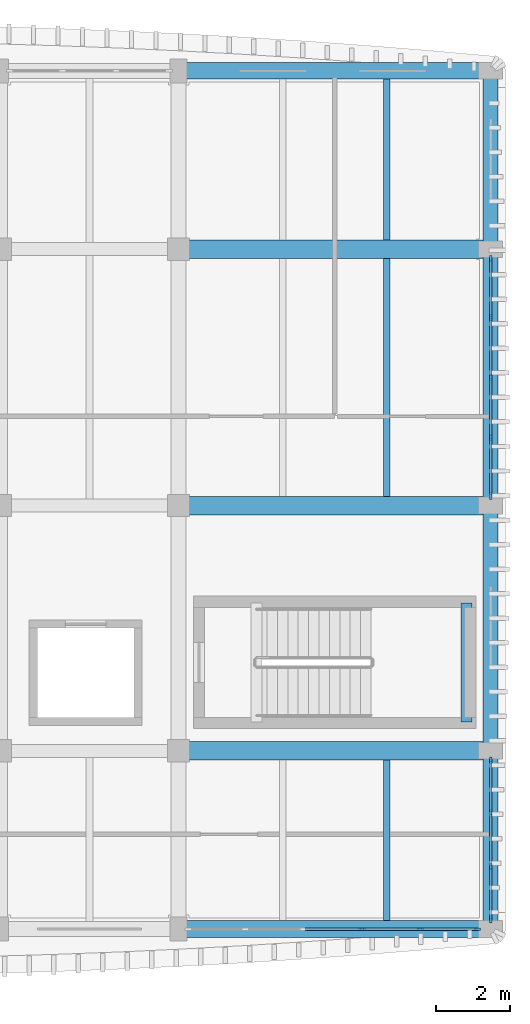
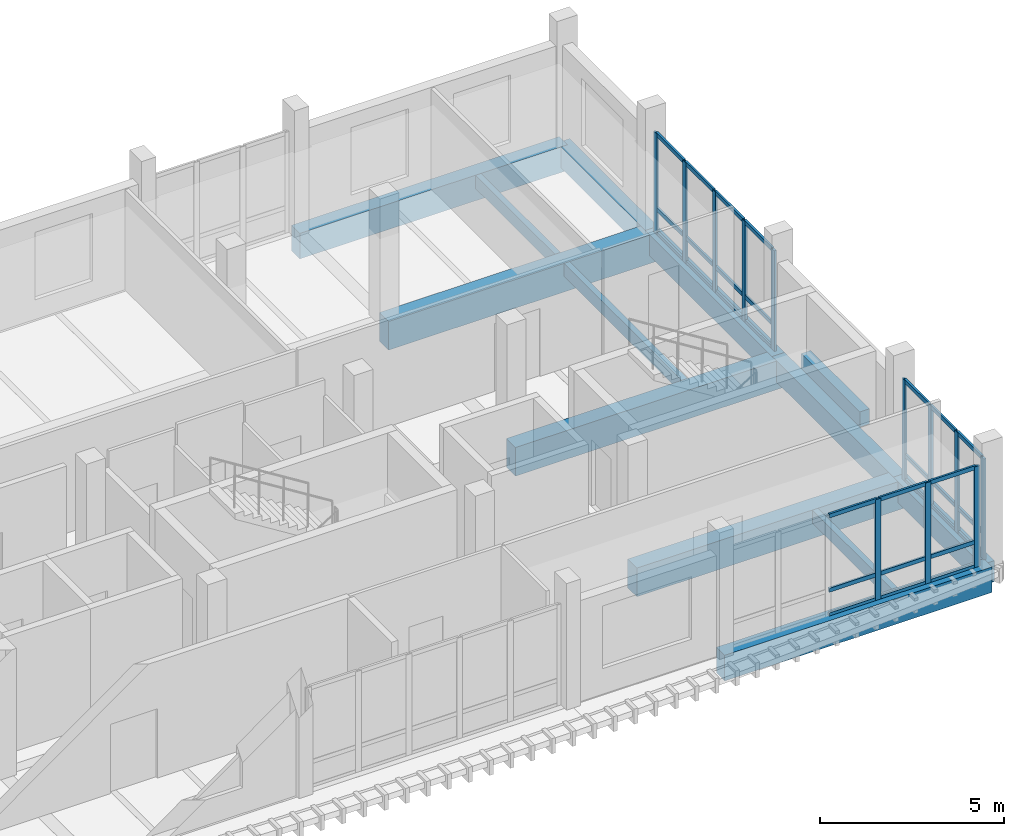
# One storey, part 5 of 16: 42 members, 13 beams, 3 elements without a shape of their own.
"""IFC4 building model written with IfcOpenShell, lengths in metres."""

from ifc_helpers import new_model, si_unit, direction, frame, origin, origin_2d, place, context, subcontext, project, spatial, rectangle, extrude, material, material_profile, profile_set, type_object, element, aggregate, save


model = new_model("IFC4")

# Units and contexts
model_context = context("Model", 3, precision=1e-05, world=origin(), true_north=direction((0.0, 1.0)))
body_context = subcontext(model_context, "Body", "Model", "MODEL_VIEW")
ifc_project = project(units=[si_unit("LENGTHUNIT", "METRE"), si_unit("AREAUNIT", "SQUARE_METRE"), si_unit("VOLUMEUNIT", "CUBIC_METRE"), si_unit("PLANEANGLEUNIT", "RADIAN"), si_unit("MASSUNIT", "GRAM", prefix="KILO")], contexts=[model_context])

# Site, building, storey
site_placement = place(None, origin())
site = spatial("IfcSite", under=ifc_project, at=site_placement, CompositionType="ELEMENT")
building_placement = place(site_placement, origin())
building = spatial("IfcBuilding", under=site, at=building_placement, Name="Dornvale Research Institute", CompositionType="ELEMENT")
storey_placement = place(building_placement, frame((0.0, 0.0, 42.60009765625)))
storey = spatial("IfcBuildingStorey", under=building, at=storey_placement, Name="L09", CompositionType="ELEMENT", Elevation=42.60009765625)

# Beams
ifc_material_1 = material(Name="Concrete f'c 45 MPa (C35/45)", Category="concrete")
ifc_material_profile_1 = material_profile(ifc_material_1, rectangle(XDim=0.300048828125, YDim=0.5, at=origin_2d()), Name="RC 300x500")
ifc_profile_set_1 = profile_set([ifc_material_profile_1], Name="Concrete f'c 45 MPa (C35/45)")
beam_type_1 = type_object("IfcBeamType", Name="Beam_RC300x500_Trim", PredefinedType="BEAM", material=ifc_profile_set_1)
beam_1_placement = place(storey_placement, frame((40.75, 104.580078125, 1.64990234375), z_axis=(0.0, 1.0, 0.0), x_axis=(-1.0, 0.0, 0.0)))
element("IfcBeam", 1, at=beam_1_placement, inside=storey, type_object=beam_type_1, Name="L09 ST-2 half-landing support beam #46", PredefinedType="BEAM", context=body_context, shape_type="SweptSolid", body=[
    extrude(rectangle(XDim=0.300048828125, YDim=0.5, at=origin_2d()), origin(), (0.0, 0.0, 1.0), 3.199951171875),
])
ifc_material_2 = material(Name="Concrete f'c 45 MPa (C35/45)", Category="concrete")
ifc_material_profile_2 = material_profile(ifc_material_2, rectangle(XDim=0.5, YDim=0.949951171875, at=origin_2d()), Name="RC 500x950")
ifc_profile_set_2 = profile_set([ifc_material_profile_2], Name="Concrete f'c 45 MPa (C35/45)")
beam_type_2 = type_object("IfcBeamType", Name="Beam_RC500x950_Girder", PredefinedType="BEAM", material=ifc_profile_set_2)
for number, where, z_axis, x_axis, name in (
    (2, (33.0, 103.800048828125, -0.47509765625), (1.0, 0.0, 0.0), (0.0, 1.0, 0.0), "L09 primary girder #1720"),
    (3, (33.0, 110.39990234375, -0.47509765625), (1.0, 0.0, 0.0), (0.0, 1.0, 0.0), "L09 primary girder #1725"),
    (4, (33.0, 117.300048828125, -0.47509765625), (1.0, 0.0, 0.0), (0.0, 1.0, 0.0), "L09 primary girder #1730"),
):
    element("IfcBeam", number, at=place(storey_placement, frame(where, z_axis=z_axis, x_axis=x_axis)), inside=storey, type_object=beam_type_2, Name=name, PredefinedType="BEAM", context=body_context, shape_type="SweptSolid", body=[
        extrude(rectangle(XDim=0.5, YDim=0.949951171875, at=origin_2d()), origin(), (0.0, 0.0, 1.0), 8.39990234375),
    ])
ifc_material_3 = material(Name="Concrete f'c 45 MPa (C35/45)", Category="concrete")
ifc_material_profile_3 = material_profile(ifc_material_3, rectangle(XDim=0.179931640625, YDim=0.43505859375, at=origin_2d()), Name="RC 180x435")
ifc_profile_set_3 = profile_set([ifc_material_profile_3], Name="Concrete f'c 45 MPa (C35/45)")
beam_type_3 = type_object("IfcBeamType", Name="Joist_RC180x435_Rib", PredefinedType="JOIST", material=ifc_profile_set_3)
beam_2_placement = place(storey_placement, frame((38.60009765625, 99.22509765625, -0.217529296875), z_axis=(0.0, 1.0, 0.0), x_axis=(-1.0, 0.0, 0.0)))
element("IfcBeam", 5, at=beam_2_placement, inside=storey, type_object=beam_type_3, Name="L09 laboratory waffle joist #845", PredefinedType="JOIST", context=body_context, shape_type="SweptSolid", body=[
    extrude(rectangle(XDim=0.179931640625, YDim=0.43505859375, at=origin_2d()), origin(), (0.0, 0.0, 1.0), 4.324951171875),
])
beam_3_placement = place(storey_placement, frame((38.60009765625, 110.64990234375, -0.217529296875), z_axis=(0.0, 1.0, 0.0), x_axis=(-1.0, 0.0, 0.0)))
element("IfcBeam", 6, at=beam_3_placement, inside=storey, type_object=beam_type_3, Name="L09 laboratory waffle joist #847", PredefinedType="JOIST", context=body_context, shape_type="SweptSolid", body=[
    extrude(rectangle(XDim=0.179931640625, YDim=0.43505859375, at=origin_2d()), origin(), (0.0, 0.0, 1.0), 6.400146484375),
])
beam_4_placement = place(storey_placement, frame((38.60009765625, 117.550048828125, -0.217529296875), z_axis=(0.0, 1.0, 0.0), x_axis=(-1.0, 0.0, 0.0)))
element("IfcBeam", 7, at=beam_4_placement, inside=storey, type_object=beam_type_3, Name="L09 laboratory waffle joist #849", PredefinedType="JOIST", context=body_context, shape_type="SweptSolid", body=[
    extrude(rectangle(XDim=0.179931640625, YDim=0.43505859375, at=origin_2d()), origin(), (0.0, 0.0, 1.0), 4.324951171875),
])

# Curtain wall, members
ifc_material_4 = material(Name="Low-E Argon Double Insulating Glazing Unit", Category="glass")
curtain_wall_type_1 = type_object("IfcCurtainWallType", Name="UnitisedCurtainWall_V5_6450x3350", PredefinedType="USERDEFINED", material=ifc_material_4)
curtain_wall_1_placement = place(storey_placement, origin())
curtain_wall_1 = element("IfcCurtainWall", 8, at=curtain_wall_1_placement, inside=storey, type_object=curtain_wall_type_1, Name="L09 V5 unitised curtain wall CW-36 #197", ObjectType="UNITISED CURTAIN WALL", PredefinedType="USERDEFINED")
ifc_material_5 = material(Name="Anodized Aluminum AA 6063-T6 Thermally Broken Frame", Category="aluminium")
ifc_material_profile_4 = material_profile(ifc_material_5, rectangle(XDim=0.06494140625, YDim=0.179931640625, at=origin_2d()), Name="ALU MULLION 65x180")
ifc_profile_set_4 = profile_set([ifc_material_profile_4], Name="Anodized Aluminum AA 6063-T6 Thermally Broken Frame")
member_type_1 = type_object("IfcMemberType", Name="Mullion_CW_65x180", PredefinedType="MULLION", material=ifc_profile_set_4)
member_1_placement = place(storey_placement, frame((41.39990234375, 117.04248046875, 0.0), z_axis=(0.0, 0.0, 1.0), x_axis=(1.0, 0.0, 0.0)))
member_1 = element("IfcMember", 9, at=member_1_placement, type_object=member_type_1, Name="CW-36 mullion 1", PredefinedType="MULLION", context=body_context, shape_type="SweptSolid", body=[
    extrude(rectangle(XDim=0.06494140625, YDim=0.179931640625, at=origin_2d()), origin(), (0.0, 0.0, 1.0), 3.349853515625),
])
member_2_placement = place(storey_placement, frame((41.39990234375, 115.46240234375, 0.0), z_axis=(0.0, 0.0, 1.0), x_axis=(1.0, 0.0, 0.0)))
member_2 = element("IfcMember", 10, at=member_2_placement, type_object=member_type_1, Name="CW-36 mullion 2", PredefinedType="MULLION", context=body_context, shape_type="SweptSolid", body=[
    extrude(rectangle(XDim=0.06494140625, YDim=0.179931640625, at=origin_2d()), origin(), (0.0, 0.0, 1.0), 3.349853515625),
])
member_3_placement = place(storey_placement, frame((41.39990234375, 113.85009765625, 0.0), z_axis=(0.0, 0.0, 1.0), x_axis=(1.0, 0.0, 0.0)))
member_3 = element("IfcMember", 11, at=member_3_placement, type_object=member_type_1, Name="CW-36 mullion 3", PredefinedType="MULLION", context=body_context, shape_type="SweptSolid", body=[
    extrude(rectangle(XDim=0.06494140625, YDim=0.179931640625, at=origin_2d()), origin(), (0.0, 0.0, 1.0), 3.349853515625),
])
member_4_placement = place(storey_placement, frame((41.39990234375, 112.237548828125, 0.0), z_axis=(0.0, 0.0, 1.0), x_axis=(1.0, 0.0, 0.0)))
member_4 = element("IfcMember", 12, at=member_4_placement, type_object=member_type_1, Name="CW-36 mullion 4", PredefinedType="MULLION", context=body_context, shape_type="SweptSolid", body=[
    extrude(rectangle(XDim=0.06494140625, YDim=0.179931640625, at=origin_2d()), origin(), (0.0, 0.0, 1.0), 3.349853515625),
])
member_5_placement = place(storey_placement, frame((41.39990234375, 110.657470703125, 0.0), z_axis=(0.0, 0.0, 1.0), x_axis=(1.0, 0.0, 0.0)))
member_5 = element("IfcMember", 13, at=member_5_placement, type_object=member_type_1, Name="CW-36 mullion 5", PredefinedType="MULLION", context=body_context, shape_type="SweptSolid", body=[
    extrude(rectangle(XDim=0.06494140625, YDim=0.179931640625, at=origin_2d()), origin(), (0.0, 0.0, 1.0), 3.349853515625),
])

ifc_material_6 = material(Name="Low-E Argon Double Insulating Glazing Unit", Category="glass")
curtain_wall_type_2 = type_object("IfcCurtainWallType", Name="UnitisedCurtainWall_V5_4350x3350", PredefinedType="USERDEFINED", material=ifc_material_6)
curtain_wall_2_placement = place(storey_placement, origin())
curtain_wall_2 = element("IfcCurtainWall", 14, at=curtain_wall_2_placement, inside=storey, type_object=curtain_wall_type_2, Name="L09 V5 unitised curtain wall CW-35 #198", ObjectType="UNITISED CURTAIN WALL", PredefinedType="USERDEFINED")
member_6_placement = place(storey_placement, frame((41.39990234375, 103.54248046875, 0.0), z_axis=(0.0, 0.0, 1.0), x_axis=(1.0, 0.0, 0.0)))
member_6 = element("IfcMember", 15, at=member_6_placement, type_object=member_type_1, Name="CW-35 mullion 1", PredefinedType="MULLION", context=body_context, shape_type="SweptSolid", body=[
    extrude(rectangle(XDim=0.06494140625, YDim=0.179931640625, at=origin_2d()), origin(), (0.0, 0.0, 1.0), 3.349853515625),
])
member_7_placement = place(storey_placement, frame((41.39990234375, 102.125, 0.0), z_axis=(0.0, 0.0, 1.0), x_axis=(1.0, 0.0, 0.0)))
member_7 = element("IfcMember", 16, at=member_7_placement, type_object=member_type_1, Name="CW-35 mullion 2", PredefinedType="MULLION", context=body_context, shape_type="SweptSolid", body=[
    extrude(rectangle(XDim=0.06494140625, YDim=0.179931640625, at=origin_2d()), origin(), (0.0, 0.0, 1.0), 3.349853515625),
])
member_8_placement = place(storey_placement, frame((41.39990234375, 100.675048828125, 0.0), z_axis=(0.0, 0.0, 1.0), x_axis=(1.0, 0.0, 0.0)))
member_8 = element("IfcMember", 17, at=member_8_placement, type_object=member_type_1, Name="CW-35 mullion 3", PredefinedType="MULLION", context=body_context, shape_type="SweptSolid", body=[
    extrude(rectangle(XDim=0.06494140625, YDim=0.179931640625, at=origin_2d()), origin(), (0.0, 0.0, 1.0), 3.349853515625),
])
member_9_placement = place(storey_placement, frame((41.39990234375, 99.257568359375, 0.0), z_axis=(0.0, 0.0, 1.0), x_axis=(1.0, 0.0, 0.0)))
member_9 = element("IfcMember", 18, at=member_9_placement, type_object=member_type_1, Name="CW-35 mullion 4", PredefinedType="MULLION", context=body_context, shape_type="SweptSolid", body=[
    extrude(rectangle(XDim=0.06494140625, YDim=0.179931640625, at=origin_2d()), origin(), (0.0, 0.0, 1.0), 3.349853515625),
])

ifc_material_7 = material(Name="Low-E Argon Double Insulating Glazing Unit", Category="glass")
curtain_wall_type_3 = type_object("IfcCurtainWallType", Name="UnitisedCurtainWall_V5_7850x3350", PredefinedType="USERDEFINED", material=ifc_material_7)
curtain_wall_3_placement = place(storey_placement, origin())
curtain_wall_3 = element("IfcCurtainWall", 19, at=curtain_wall_3_placement, inside=storey, type_object=curtain_wall_type_3, Name="L09 V5 unitised curtain wall CW-37 #199", ObjectType="UNITISED CURTAIN WALL", PredefinedType="USERDEFINED")
member_10_placement = place(storey_placement, frame((41.04248046875, 99.0, 0.0), z_axis=(0.0, 0.0, 1.0), x_axis=(0.0, -1.0, 0.0)))
member_10 = element("IfcMember", 20, at=member_10_placement, type_object=member_type_1, Name="CW-37 mullion 1", PredefinedType="MULLION", context=body_context, shape_type="SweptSolid", body=[
    extrude(rectangle(XDim=0.06494140625, YDim=0.179931640625, at=origin_2d()), origin(), (0.0, 0.0, 1.0), 3.349853515625),
])
member_11_placement = place(storey_placement, frame((39.5048828125, 99.0, 0.0), z_axis=(0.0, 0.0, 1.0), x_axis=(0.0, -1.0, 0.0)))
member_11 = element("IfcMember", 21, at=member_11_placement, type_object=member_type_1, Name="CW-37 mullion 2", PredefinedType="MULLION", context=body_context, shape_type="SweptSolid", body=[
    extrude(rectangle(XDim=0.06494140625, YDim=0.179931640625, at=origin_2d()), origin(), (0.0, 0.0, 1.0), 3.349853515625),
])
member_12_placement = place(storey_placement, frame((37.93505859375, 99.0, 0.0), z_axis=(0.0, 0.0, 1.0), x_axis=(0.0, -1.0, 0.0)))
member_12 = element("IfcMember", 22, at=member_12_placement, type_object=member_type_1, Name="CW-37 mullion 3", PredefinedType="MULLION", context=body_context, shape_type="SweptSolid", body=[
    extrude(rectangle(XDim=0.06494140625, YDim=0.179931640625, at=origin_2d()), origin(), (0.0, 0.0, 1.0), 3.349853515625),
])

# Beams
ifc_material_8 = material(Name="Concrete f'c 45 MPa (C35/45)", Category="concrete")
ifc_material_profile_5 = material_profile(ifc_material_8, rectangle(XDim=0.39990234375, YDim=0.699951171875, at=origin_2d()), Name="RC 400x700")
ifc_profile_set_5 = profile_set([ifc_material_profile_5], Name="Concrete f'c 45 MPa (C35/45)")
beam_type_4 = type_object("IfcBeamType", Name="Spandrel_RC400x700_Ext", PredefinedType="SPANDREL", material=ifc_profile_set_5)
beam_5_placement = place(storey_placement, frame((41.39990234375, 99.0, -0.35009765625), z_axis=(0.0, 1.0, 0.0), x_axis=(-1.0, 0.0, 0.0)))
element("IfcBeam", 23, at=beam_5_placement, inside=storey, type_object=beam_type_4, Name="L09 perimeter spandrel #1756", PredefinedType="SPANDREL", context=body_context, shape_type="SweptSolid", body=[
    extrude(rectangle(XDim=0.39990234375, YDim=0.699951171875, at=origin_2d()), origin(), (0.0, 0.0, 1.0), 4.800048828125),
])
beam_6_placement = place(storey_placement, frame((41.39990234375, 103.800048828125, -0.35009765625), z_axis=(0.0, 1.0, 0.0), x_axis=(-1.0, 0.0, 0.0)))
element("IfcBeam", 24, at=beam_6_placement, inside=storey, type_object=beam_type_4, Name="L09 perimeter spandrel #1757", PredefinedType="SPANDREL", context=body_context, shape_type="SweptSolid", body=[
    extrude(rectangle(XDim=0.39990234375, YDim=0.699951171875, at=origin_2d()), origin(), (0.0, 0.0, 1.0), 6.599853515625),
])
beam_7_placement = place(storey_placement, frame((41.39990234375, 110.39990234375, -0.35009765625), z_axis=(0.0, 1.0, 0.0), x_axis=(-1.0, 0.0, 0.0)))
element("IfcBeam", 25, at=beam_7_placement, inside=storey, type_object=beam_type_4, Name="L09 perimeter spandrel #1758", PredefinedType="SPANDREL", context=body_context, shape_type="SweptSolid", body=[
    extrude(rectangle(XDim=0.39990234375, YDim=0.699951171875, at=origin_2d()), origin(), (0.0, 0.0, 1.0), 6.900146484375),
])
beam_8_placement = place(storey_placement, frame((41.39990234375, 117.300048828125, -0.35009765625), z_axis=(0.0, 1.0, 0.0), x_axis=(-1.0, 0.0, 0.0)))
element("IfcBeam", 26, at=beam_8_placement, inside=storey, type_object=beam_type_4, Name="L09 perimeter spandrel #1759", PredefinedType="SPANDREL", context=body_context, shape_type="SweptSolid", body=[
    extrude(rectangle(XDim=0.39990234375, YDim=0.699951171875, at=origin_2d()), origin(), (0.0, 0.0, 1.0), 4.800048828125),
])
ifc_material_9 = material(Name="Concrete f'c 45 MPa (C35/45)", Category="concrete")
ifc_material_profile_6 = material_profile(ifc_material_9, rectangle(XDim=0.449951171875, YDim=0.85009765625, at=origin_2d()), Name="RC 450x850")
ifc_profile_set_6 = profile_set([ifc_material_profile_6], Name="Concrete f'c 45 MPa (C35/45)")
beam_type_5 = type_object("IfcBeamType", Name="Spandrel_RC450x850_Ext", PredefinedType="SPANDREL", material=ifc_profile_set_6)
for number, where, z_axis, x_axis, name in (
    (27, (33.0, 99.0, -0.425048828125), (1.0, 0.0, 0.0), (0.0, 1.0, 0.0), "L09 perimeter spandrel #1715"),
    (28, (33.0, 122.10009765625, -0.425048828125), (1.0, 0.0, 0.0), (0.0, 1.0, 0.0), "L09 perimeter spandrel #1735"),
):
    element("IfcBeam", number, at=place(storey_placement, frame(where, z_axis=z_axis, x_axis=x_axis)), inside=storey, type_object=beam_type_5, Name=name, PredefinedType="SPANDREL", context=body_context, shape_type="SweptSolid", body=[
        extrude(rectangle(XDim=0.449951171875, YDim=0.85009765625, at=origin_2d()), origin(), (0.0, 0.0, 1.0), 8.39990234375),
    ])

# Member
ifc_material_10 = material(Name="Anodized Aluminum AA 6063-T6 Thermally Broken Frame", Category="aluminium")
ifc_material_profile_7 = material_profile(ifc_material_10, rectangle(XDim=0.06494140625, YDim=0.135009765625, at=origin_2d()), Name="ALU TRANSOM 65x135")
ifc_profile_set_7 = profile_set([ifc_material_profile_7], Name="Anodized Aluminum AA 6063-T6 Thermally Broken Frame")
member_type_2 = type_object("IfcMemberType", Name="Transom_CW_65x135", PredefinedType="USERDEFINED", material=ifc_profile_set_7)
member_13_placement = place(storey_placement, frame((41.39990234375, 117.010009765625, 0.032470703125), z_axis=(0.0, -1.0, 0.0), x_axis=(1.0, 0.0, 0.0)))
member_13 = element("IfcMember", 29, at=member_13_placement, type_object=member_type_2, Name="CW-36 transom 1.1", ObjectType="TRANSOM", PredefinedType="USERDEFINED", context=body_context, shape_type="SweptSolid", body=[
    extrude(rectangle(XDim=0.06494140625, YDim=0.135009765625, at=origin_2d()), origin(), (0.0, 0.0, 1.0), 1.514892578125),
])

member_14_placement = place(storey_placement, frame((41.39990234375, 117.010009765625, 0.849853515625), z_axis=(0.0, -1.0, 0.0), x_axis=(1.0, 0.0, 0.0)))
member_14 = element("IfcMember", 30, at=member_14_placement, type_object=member_type_2, Name="CW-36 transom 1.2", ObjectType="TRANSOM", PredefinedType="USERDEFINED", context=body_context, shape_type="SweptSolid", body=[
    extrude(rectangle(XDim=0.06494140625, YDim=0.135009765625, at=origin_2d()), origin(), (0.0, 0.0, 1.0), 1.514892578125),
])

member_15_placement = place(storey_placement, frame((41.39990234375, 117.010009765625, 3.3173828125), z_axis=(0.0, -1.0, 0.0), x_axis=(1.0, 0.0, 0.0)))
member_15 = element("IfcMember", 31, at=member_15_placement, type_object=member_type_2, Name="CW-36 transom 1.3", ObjectType="TRANSOM", PredefinedType="USERDEFINED", context=body_context, shape_type="SweptSolid", body=[
    extrude(rectangle(XDim=0.06494140625, YDim=0.135009765625, at=origin_2d()), origin(), (0.0, 0.0, 1.0), 1.514892578125),
])

member_16_placement = place(storey_placement, frame((41.39990234375, 115.429931640625, 0.032470703125), z_axis=(0.0, -1.0, 0.0), x_axis=(1.0, 0.0, 0.0)))
member_16 = element("IfcMember", 32, at=member_16_placement, type_object=member_type_2, Name="CW-36 transom 2.1", ObjectType="TRANSOM", PredefinedType="USERDEFINED", context=body_context, shape_type="SweptSolid", body=[
    extrude(rectangle(XDim=0.06494140625, YDim=0.135009765625, at=origin_2d()), origin(), (0.0, 0.0, 1.0), 1.54736328125),
])

member_17_placement = place(storey_placement, frame((41.39990234375, 115.429931640625, 0.849853515625), z_axis=(0.0, -1.0, 0.0), x_axis=(1.0, 0.0, 0.0)))
member_17 = element("IfcMember", 33, at=member_17_placement, type_object=member_type_2, Name="CW-36 transom 2.2", ObjectType="TRANSOM", PredefinedType="USERDEFINED", context=body_context, shape_type="SweptSolid", body=[
    extrude(rectangle(XDim=0.06494140625, YDim=0.135009765625, at=origin_2d()), origin(), (0.0, 0.0, 1.0), 1.54736328125),
])

member_18_placement = place(storey_placement, frame((41.39990234375, 115.429931640625, 3.3173828125), z_axis=(0.0, -1.0, 0.0), x_axis=(1.0, 0.0, 0.0)))
member_18 = element("IfcMember", 34, at=member_18_placement, type_object=member_type_2, Name="CW-36 transom 2.3", ObjectType="TRANSOM", PredefinedType="USERDEFINED", context=body_context, shape_type="SweptSolid", body=[
    extrude(rectangle(XDim=0.06494140625, YDim=0.135009765625, at=origin_2d()), origin(), (0.0, 0.0, 1.0), 1.54736328125),
])

member_19_placement = place(storey_placement, frame((41.39990234375, 113.8173828125, 0.032470703125), z_axis=(0.0, -1.0, 0.0), x_axis=(1.0, 0.0, 0.0)))
member_19 = element("IfcMember", 35, at=member_19_placement, type_object=member_type_2, Name="CW-36 transom 3.1", ObjectType="TRANSOM", PredefinedType="USERDEFINED", context=body_context, shape_type="SweptSolid", body=[
    extrude(rectangle(XDim=0.06494140625, YDim=0.135009765625, at=origin_2d()), origin(), (0.0, 0.0, 1.0), 1.54736328125),
])

member_20_placement = place(storey_placement, frame((41.39990234375, 113.8173828125, 0.849853515625), z_axis=(0.0, -1.0, 0.0), x_axis=(1.0, 0.0, 0.0)))
member_20 = element("IfcMember", 36, at=member_20_placement, type_object=member_type_2, Name="CW-36 transom 3.2", ObjectType="TRANSOM", PredefinedType="USERDEFINED", context=body_context, shape_type="SweptSolid", body=[
    extrude(rectangle(XDim=0.06494140625, YDim=0.135009765625, at=origin_2d()), origin(), (0.0, 0.0, 1.0), 1.54736328125),
])

member_21_placement = place(storey_placement, frame((41.39990234375, 113.8173828125, 3.3173828125), z_axis=(0.0, -1.0, 0.0), x_axis=(1.0, 0.0, 0.0)))
member_21 = element("IfcMember", 37, at=member_21_placement, type_object=member_type_2, Name="CW-36 transom 3.3", ObjectType="TRANSOM", PredefinedType="USERDEFINED", context=body_context, shape_type="SweptSolid", body=[
    extrude(rectangle(XDim=0.06494140625, YDim=0.135009765625, at=origin_2d()), origin(), (0.0, 0.0, 1.0), 1.54736328125),
])

member_22_placement = place(storey_placement, frame((41.39990234375, 112.205078125, 0.032470703125), z_axis=(0.0, -1.0, 0.0), x_axis=(1.0, 0.0, 0.0)))
member_22 = element("IfcMember", 38, at=member_22_placement, type_object=member_type_2, Name="CW-36 transom 4.1", ObjectType="TRANSOM", PredefinedType="USERDEFINED", context=body_context, shape_type="SweptSolid", body=[
    extrude(rectangle(XDim=0.06494140625, YDim=0.135009765625, at=origin_2d()), origin(), (0.0, 0.0, 1.0), 1.51513671875),
])

member_23_placement = place(storey_placement, frame((41.39990234375, 112.205078125, 0.849853515625), z_axis=(0.0, -1.0, 0.0), x_axis=(1.0, 0.0, 0.0)))
member_23 = element("IfcMember", 39, at=member_23_placement, type_object=member_type_2, Name="CW-36 transom 4.2", ObjectType="TRANSOM", PredefinedType="USERDEFINED", context=body_context, shape_type="SweptSolid", body=[
    extrude(rectangle(XDim=0.06494140625, YDim=0.135009765625, at=origin_2d()), origin(), (0.0, 0.0, 1.0), 1.51513671875),
])

member_24_placement = place(storey_placement, frame((41.39990234375, 112.205078125, 3.3173828125), z_axis=(0.0, -1.0, 0.0), x_axis=(1.0, 0.0, 0.0)))
member_24 = element("IfcMember", 40, at=member_24_placement, type_object=member_type_2, Name="CW-36 transom 4.3", ObjectType="TRANSOM", PredefinedType="USERDEFINED", context=body_context, shape_type="SweptSolid", body=[
    extrude(rectangle(XDim=0.06494140625, YDim=0.135009765625, at=origin_2d()), origin(), (0.0, 0.0, 1.0), 1.51513671875),
])

aggregate(curtain_wall_1, [member_1, member_2, member_3, member_4, member_5, member_13, member_14, member_15, member_16, member_17, member_18, member_19, member_20, member_21, member_22, member_23, member_24])

member_25_placement = place(storey_placement, frame((41.39990234375, 103.510009765625, 0.032470703125), z_axis=(0.0, -1.0, 0.0), x_axis=(1.0, 0.0, 0.0)))
member_25 = element("IfcMember", 41, at=member_25_placement, type_object=member_type_2, Name="CW-35 transom 1.1", ObjectType="TRANSOM", PredefinedType="USERDEFINED", context=body_context, shape_type="SweptSolid", body=[
    extrude(rectangle(XDim=0.06494140625, YDim=0.135009765625, at=origin_2d()), origin(), (0.0, 0.0, 1.0), 1.3525390625),
])

member_26_placement = place(storey_placement, frame((41.39990234375, 103.510009765625, 0.849853515625), z_axis=(0.0, -1.0, 0.0), x_axis=(1.0, 0.0, 0.0)))
member_26 = element("IfcMember", 42, at=member_26_placement, type_object=member_type_2, Name="CW-35 transom 1.2", ObjectType="TRANSOM", PredefinedType="USERDEFINED", context=body_context, shape_type="SweptSolid", body=[
    extrude(rectangle(XDim=0.06494140625, YDim=0.135009765625, at=origin_2d()), origin(), (0.0, 0.0, 1.0), 1.3525390625),
])

member_27_placement = place(storey_placement, frame((41.39990234375, 103.510009765625, 3.3173828125), z_axis=(0.0, -1.0, 0.0), x_axis=(1.0, 0.0, 0.0)))
member_27 = element("IfcMember", 43, at=member_27_placement, type_object=member_type_2, Name="CW-35 transom 1.3", ObjectType="TRANSOM", PredefinedType="USERDEFINED", context=body_context, shape_type="SweptSolid", body=[
    extrude(rectangle(XDim=0.06494140625, YDim=0.135009765625, at=origin_2d()), origin(), (0.0, 0.0, 1.0), 1.3525390625),
])

member_28_placement = place(storey_placement, frame((41.39990234375, 102.092529296875, 0.032470703125), z_axis=(0.0, -1.0, 0.0), x_axis=(1.0, 0.0, 0.0)))
member_28 = element("IfcMember", 44, at=member_28_placement, type_object=member_type_2, Name="CW-35 transom 2.1", ObjectType="TRANSOM", PredefinedType="USERDEFINED", context=body_context, shape_type="SweptSolid", body=[
    extrude(rectangle(XDim=0.06494140625, YDim=0.135009765625, at=origin_2d()), origin(), (0.0, 0.0, 1.0), 1.385009765625),
])

member_29_placement = place(storey_placement, frame((41.39990234375, 102.092529296875, 0.849853515625), z_axis=(0.0, -1.0, 0.0), x_axis=(1.0, 0.0, 0.0)))
member_29 = element("IfcMember", 45, at=member_29_placement, type_object=member_type_2, Name="CW-35 transom 2.2", ObjectType="TRANSOM", PredefinedType="USERDEFINED", context=body_context, shape_type="SweptSolid", body=[
    extrude(rectangle(XDim=0.06494140625, YDim=0.135009765625, at=origin_2d()), origin(), (0.0, 0.0, 1.0), 1.385009765625),
])

member_30_placement = place(storey_placement, frame((41.39990234375, 102.092529296875, 3.3173828125), z_axis=(0.0, -1.0, 0.0), x_axis=(1.0, 0.0, 0.0)))
member_30 = element("IfcMember", 46, at=member_30_placement, type_object=member_type_2, Name="CW-35 transom 2.3", ObjectType="TRANSOM", PredefinedType="USERDEFINED", context=body_context, shape_type="SweptSolid", body=[
    extrude(rectangle(XDim=0.06494140625, YDim=0.135009765625, at=origin_2d()), origin(), (0.0, 0.0, 1.0), 1.385009765625),
])

member_31_placement = place(storey_placement, frame((41.39990234375, 100.642578125, 0.032470703125), z_axis=(0.0, -1.0, 0.0), x_axis=(1.0, 0.0, 0.0)))
member_31 = element("IfcMember", 47, at=member_31_placement, type_object=member_type_2, Name="CW-35 transom 3.1", ObjectType="TRANSOM", PredefinedType="USERDEFINED", context=body_context, shape_type="SweptSolid", body=[
    extrude(rectangle(XDim=0.06494140625, YDim=0.135009765625, at=origin_2d()), origin(), (0.0, 0.0, 1.0), 1.3525390625),
])

member_32_placement = place(storey_placement, frame((41.39990234375, 100.642578125, 0.849853515625), z_axis=(0.0, -1.0, 0.0), x_axis=(1.0, 0.0, 0.0)))
member_32 = element("IfcMember", 48, at=member_32_placement, type_object=member_type_2, Name="CW-35 transom 3.2", ObjectType="TRANSOM", PredefinedType="USERDEFINED", context=body_context, shape_type="SweptSolid", body=[
    extrude(rectangle(XDim=0.06494140625, YDim=0.135009765625, at=origin_2d()), origin(), (0.0, 0.0, 1.0), 1.3525390625),
])

member_33_placement = place(storey_placement, frame((41.39990234375, 100.642578125, 3.3173828125), z_axis=(0.0, -1.0, 0.0), x_axis=(1.0, 0.0, 0.0)))
member_33 = element("IfcMember", 49, at=member_33_placement, type_object=member_type_2, Name="CW-35 transom 3.3", ObjectType="TRANSOM", PredefinedType="USERDEFINED", context=body_context, shape_type="SweptSolid", body=[
    extrude(rectangle(XDim=0.06494140625, YDim=0.135009765625, at=origin_2d()), origin(), (0.0, 0.0, 1.0), 1.3525390625),
])

aggregate(curtain_wall_2, [member_6, member_7, member_8, member_9, member_25, member_26, member_27, member_28, member_29, member_30, member_31, member_32, member_33])

member_34_placement = place(storey_placement, frame((41.010009765625, 99.0, 0.032470703125), z_axis=(-1.0, 0.0, 0.0), x_axis=(0.0, -1.0, 0.0)))
member_34 = element("IfcMember", 50, at=member_34_placement, type_object=member_type_2, Name="CW-37 transom 1.1", ObjectType="TRANSOM", PredefinedType="USERDEFINED", context=body_context, shape_type="SweptSolid", body=[
    extrude(rectangle(XDim=0.06494140625, YDim=0.135009765625, at=origin_2d()), origin(), (0.0, 0.0, 1.0), 1.472412109375),
])

member_35_placement = place(storey_placement, frame((41.010009765625, 99.0, 0.849853515625), z_axis=(-1.0, 0.0, 0.0), x_axis=(0.0, -1.0, 0.0)))
member_35 = element("IfcMember", 51, at=member_35_placement, type_object=member_type_2, Name="CW-37 transom 1.2", ObjectType="TRANSOM", PredefinedType="USERDEFINED", context=body_context, shape_type="SweptSolid", body=[
    extrude(rectangle(XDim=0.06494140625, YDim=0.135009765625, at=origin_2d()), origin(), (0.0, 0.0, 1.0), 1.472412109375),
])

member_36_placement = place(storey_placement, frame((41.010009765625, 99.0, 3.3173828125), z_axis=(-1.0, 0.0, 0.0), x_axis=(0.0, -1.0, 0.0)))
member_36 = element("IfcMember", 52, at=member_36_placement, type_object=member_type_2, Name="CW-37 transom 1.3", ObjectType="TRANSOM", PredefinedType="USERDEFINED", context=body_context, shape_type="SweptSolid", body=[
    extrude(rectangle(XDim=0.06494140625, YDim=0.135009765625, at=origin_2d()), origin(), (0.0, 0.0, 1.0), 1.472412109375),
])

member_37_placement = place(storey_placement, frame((39.472412109375, 99.0, 0.032470703125), z_axis=(-1.0, 0.0, 0.0), x_axis=(0.0, -1.0, 0.0)))
member_37 = element("IfcMember", 53, at=member_37_placement, type_object=member_type_2, Name="CW-37 transom 2.1", ObjectType="TRANSOM", PredefinedType="USERDEFINED", context=body_context, shape_type="SweptSolid", body=[
    extrude(rectangle(XDim=0.06494140625, YDim=0.135009765625, at=origin_2d()), origin(), (0.0, 0.0, 1.0), 1.5048828125),
])

member_38_placement = place(storey_placement, frame((39.472412109375, 99.0, 0.849853515625), z_axis=(-1.0, 0.0, 0.0), x_axis=(0.0, -1.0, 0.0)))
member_38 = element("IfcMember", 54, at=member_38_placement, type_object=member_type_2, Name="CW-37 transom 2.2", ObjectType="TRANSOM", PredefinedType="USERDEFINED", context=body_context, shape_type="SweptSolid", body=[
    extrude(rectangle(XDim=0.06494140625, YDim=0.135009765625, at=origin_2d()), origin(), (0.0, 0.0, 1.0), 1.5048828125),
])

member_39_placement = place(storey_placement, frame((39.472412109375, 99.0, 3.3173828125), z_axis=(-1.0, 0.0, 0.0), x_axis=(0.0, -1.0, 0.0)))
member_39 = element("IfcMember", 55, at=member_39_placement, type_object=member_type_2, Name="CW-37 transom 2.3", ObjectType="TRANSOM", PredefinedType="USERDEFINED", context=body_context, shape_type="SweptSolid", body=[
    extrude(rectangle(XDim=0.06494140625, YDim=0.135009765625, at=origin_2d()), origin(), (0.0, 0.0, 1.0), 1.5048828125),
])

member_40_placement = place(storey_placement, frame((37.902587890625, 99.0, 0.032470703125), z_axis=(-1.0, 0.0, 0.0), x_axis=(0.0, -1.0, 0.0)))
member_40 = element("IfcMember", 56, at=member_40_placement, type_object=member_type_2, Name="CW-37 transom 3.1", ObjectType="TRANSOM", PredefinedType="USERDEFINED", context=body_context, shape_type="SweptSolid", body=[
    extrude(rectangle(XDim=0.06494140625, YDim=0.135009765625, at=origin_2d()), origin(), (0.0, 0.0, 1.0), 1.505126953125),
])

member_41_placement = place(storey_placement, frame((37.902587890625, 99.0, 0.849853515625), z_axis=(-1.0, 0.0, 0.0), x_axis=(0.0, -1.0, 0.0)))
member_41 = element("IfcMember", 57, at=member_41_placement, type_object=member_type_2, Name="CW-37 transom 3.2", ObjectType="TRANSOM", PredefinedType="USERDEFINED", context=body_context, shape_type="SweptSolid", body=[
    extrude(rectangle(XDim=0.06494140625, YDim=0.135009765625, at=origin_2d()), origin(), (0.0, 0.0, 1.0), 1.505126953125),
])

member_42_placement = place(storey_placement, frame((37.902587890625, 99.0, 3.3173828125), z_axis=(-1.0, 0.0, 0.0), x_axis=(0.0, -1.0, 0.0)))
member_42 = element("IfcMember", 58, at=member_42_placement, type_object=member_type_2, Name="CW-37 transom 3.3", ObjectType="TRANSOM", PredefinedType="USERDEFINED", context=body_context, shape_type="SweptSolid", body=[
    extrude(rectangle(XDim=0.06494140625, YDim=0.135009765625, at=origin_2d()), origin(), (0.0, 0.0, 1.0), 1.505126953125),
])

aggregate(curtain_wall_3, [member_10, member_11, member_12, member_34, member_35, member_36, member_37, member_38, member_39, member_40, member_41, member_42])

save(model, "model.ifc")
